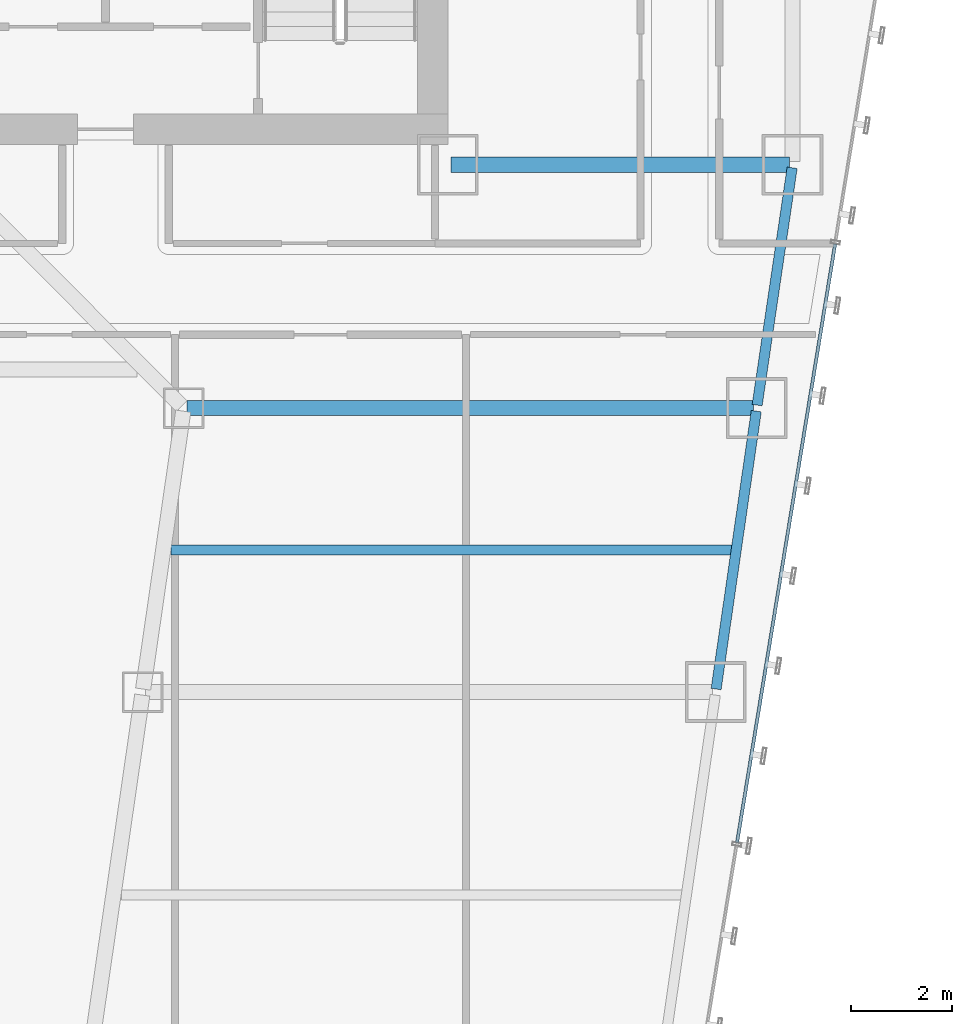
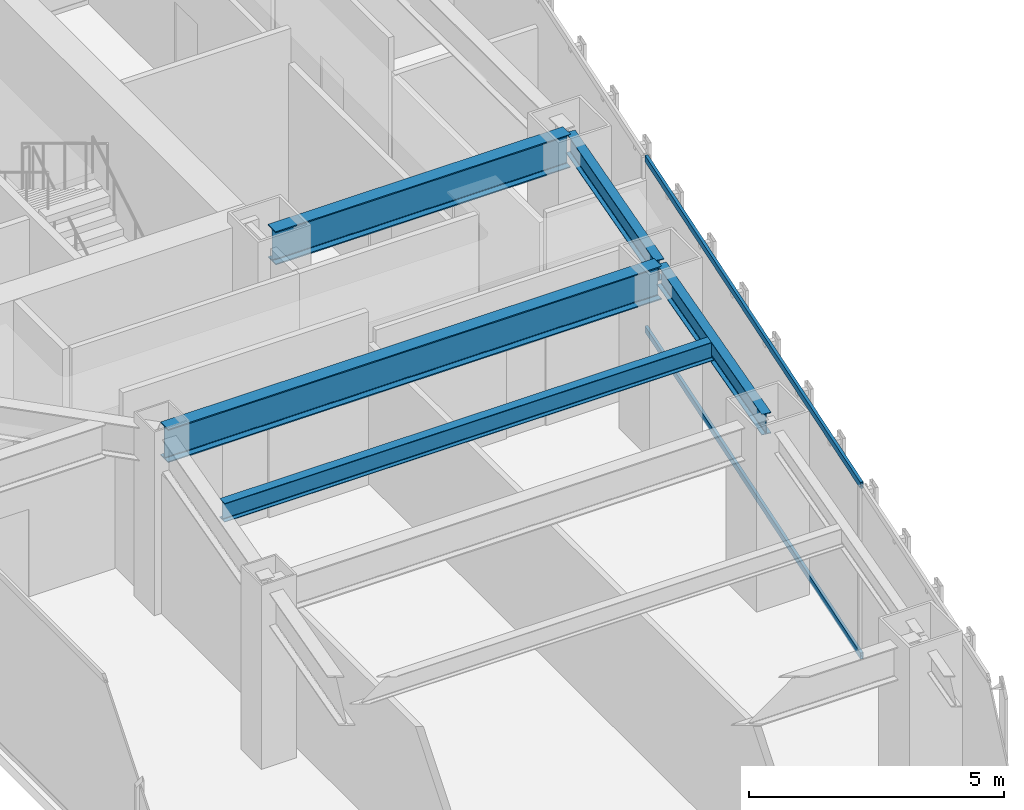
# One storey, part 30 of 49: 5 beams, 2 members, 1 element without a shape of its own.
"""IFC4 building model written with IfcOpenShell, lengths in metres."""

from ifc_helpers import new_model, si_unit, direction, frame, origin, origin_2d, place, context, subcontext, project, spatial, hollow_rectangle, i_section, extrude, material, material_profile, profile_set, type_object, element, aggregate, save


model = new_model("IFC4")

# Units and contexts
model_context = context("Model", 3, precision=1e-05, world=origin(), true_north=direction((0.0, 1.0)))
body_context = subcontext(model_context, "Body", "Model", "MODEL_VIEW")
ifc_project = project(units=[si_unit("LENGTHUNIT", "METRE"), si_unit("AREAUNIT", "SQUARE_METRE"), si_unit("VOLUMEUNIT", "CUBIC_METRE"), si_unit("PLANEANGLEUNIT", "RADIAN"), si_unit("MASSUNIT", "GRAM", prefix="KILO")], contexts=[model_context])

# Site, building, storey
site_placement = place(None, origin())
site = spatial("IfcSite", under=ifc_project, at=site_placement, CompositionType="ELEMENT")
building_placement = place(site_placement, origin())
building = spatial("IfcBuilding", under=site, at=building_placement, Name="Saevonmaru Cultural Tower", CompositionType="ELEMENT")
storey_placement = place(building_placement, frame((0.0, 0.0, 73.60009765625)))
storey = spatial("IfcBuildingStorey", under=building, at=storey_placement, Name="L15", CompositionType="ELEMENT", Elevation=73.60009765625)

# Beams
ifc_material_1 = material(Name="Steel SM420", Category="steel")
ifc_material_profile_1 = material_profile(ifc_material_1, i_section(OverallWidth=0.300048828125, OverallDepth=0.800048828125, WebThickness=0.013916015625, FlangeThickness=0.02587890625, FilletRadius=0.028076171875, at=origin_2d()), Name="H-800x300x14x26")
ifc_profile_set_1 = profile_set([ifc_material_profile_1], Name="Steel SM420")
beam_type_1 = type_object("IfcBeamType", Name="BM-G-H800", PredefinedType="BEAM", material=ifc_profile_set_1)
beam_1_placement = place(storey_placement, frame((46.4599609375, 42.39990234375, 3.75), z_axis=(1.0, 0.0, 0.0), x_axis=(0.0, 1.0, 0.0)))
element("IfcBeam", 1, at=beam_1_placement, inside=storey, type_object=beam_type_1, Name="L15 Core South Girder 5", PredefinedType="BEAM", context=body_context, shape_type="SweptSolid", body=[
    extrude(i_section(OverallWidth=0.300048828125, OverallDepth=0.800048828125, WebThickness=0.013916015625, FlangeThickness=0.02587890625, FilletRadius=0.028076171875, at=origin_2d()), origin(), (0.0, 0.0, 1.0), 6.679931640625),
])
beam_2_placement = place(storey_placement, frame((41.251953125, 37.60009765625, 3.75), z_axis=(1.0, 0.0, 0.0), x_axis=(0.0, 1.0, 0.0)))
element("IfcBeam", 2, at=beam_2_placement, inside=storey, type_object=beam_type_1, Name="L15 East Wing Transverse Girder 6", PredefinedType="BEAM", context=body_context, shape_type="SweptSolid", body=[
    extrude(i_section(OverallWidth=0.300048828125, OverallDepth=0.800048828125, WebThickness=0.013916015625, FlangeThickness=0.02587890625, FilletRadius=0.028076171875, at=origin_2d()), origin(), (0.0, 0.0, 1.0), 11.179931640625),
])
ifc_material_2 = material(Name="Steel SM355", Category="steel")
ifc_material_profile_2 = material_profile(ifc_material_2, i_section(OverallWidth=0.199951171875, OverallDepth=0.449951171875, WebThickness=0.009033203125, FlangeThickness=0.013916015625, FilletRadius=0.01806640625, at=origin_2d()), Name="H-450x200x9x14")
ifc_profile_set_2 = profile_set([ifc_material_profile_2], Name="Steel SM355")
beam_type_2 = type_object("IfcBeamType", Name="BM-J-H450", PredefinedType="JOIST", material=ifc_profile_set_2)
beam_3_placement = place(storey_placement, frame((40.945556640625, 34.800048828125, 3.9248046875), z_axis=(1.0, 0.0, 0.0), x_axis=(0.0, 1.0, 0.0)))
element("IfcBeam", 3, at=beam_3_placement, inside=storey, type_object=beam_type_2, Name="L15 East Wing Floor Joist 5", PredefinedType="JOIST", context=body_context, shape_type="SweptSolid", body=[
    extrude(i_section(OverallWidth=0.199951171875, OverallDepth=0.449951171875, WebThickness=0.009033203125, FlangeThickness=0.013916015625, FilletRadius=0.01806640625, at=origin_2d()), origin(), (0.0, 0.0, 1.0), 11.08203125),
])
ifc_material_profile_3 = material_profile(ifc_material_2, i_section(OverallWidth=0.199951171875, OverallDepth=0.5, WebThickness=0.010009765625, FlangeThickness=0.01611328125, FilletRadius=0.02001953125, at=origin_2d()), Name="H-500x200x10x16")
ifc_profile_set_3 = profile_set([ifc_material_profile_3], Name="Steel SM355")
beam_type_3 = type_object("IfcBeamType", Name="BM-SP-H500", PredefinedType="SPANDREL", material=ifc_profile_set_3)
beam_4_placement = place(storey_placement, frame((51.691650390625, 32.059326171875, 3.89990234375), z_axis=(0.142964121327, 0.989727871697, 0.0), x_axis=(-0.989727871697, 0.142964121327, 0.0)))
element("IfcBeam", 4, at=beam_4_placement, inside=storey, type_object=beam_type_3, Name="L15 East Splayed Spandrel 5", PredefinedType="SPANDREL", context=body_context, shape_type="SweptSolid", body=[
    extrude(i_section(OverallWidth=0.199951171875, OverallDepth=0.5, WebThickness=0.010009765625, FlangeThickness=0.01611328125, FilletRadius=0.02001953125, at=origin_2d()), origin(), (0.0, 0.0, 1.0), 5.5380859375),
])
beam_5_placement = place(storey_placement, frame((52.500732421875, 37.659423828125, 3.89990234375), z_axis=(0.145912860028, 0.989297446312, 0.0), x_axis=(-0.989297446312, 0.145912860028, 0.0)))
element("IfcBeam", 5, at=beam_5_placement, inside=storey, type_object=beam_type_3, Name="L15 East Splayed Spandrel 6", PredefinedType="SPANDREL", context=body_context, shape_type="SweptSolid", body=[
    extrude(i_section(OverallWidth=0.199951171875, OverallDepth=0.5, WebThickness=0.010009765625, FlangeThickness=0.01611328125, FilletRadius=0.02001953125, at=origin_2d()), origin(), (0.0, 0.0, 1.0), 4.731689453125),
])

# Curtain wall, members
ifc_material_3 = material(Name="Satin Bronze Anodised Aluminium", Category="aluminium")
curtain_wall_type = type_object("IfcCurtainWallType", Name="CW-TYP-A", PredefinedType="NOTDEFINED", material=ifc_material_3)
curtain_wall_placement = place(storey_placement, origin())
curtain_wall = element("IfcCurtainWall", 6, at=curtain_wall_placement, inside=storey, type_object=curtain_wall_type, Name="L15 Unitised Curtain Wall E8", PredefinedType="NOTDEFINED")
ifc_material_profile_4 = material_profile(ifc_material_3, hollow_rectangle(XDim=0.06494140625, YDim=0.14990234375, WallThickness=0.00390625, at=origin_2d()), Name="ALU-TRAN-150x65x4")
ifc_profile_set_4 = profile_set([ifc_material_profile_4], Name="Satin Bronze Anodised Aluminium")
member_type = type_object("IfcMemberType", Name="TR-CW-150x65", PredefinedType="USERDEFINED", material=ifc_profile_set_4)
member_1_placement = place(storey_placement, frame((52.105224609375, 29.031982421875, 0.032470703125), z_axis=(0.161701400727, 0.986839732177, 0.0), x_axis=(-0.986839732177, 0.161701400727, 0.0)))
member_1 = element("IfcMember", 7, at=member_1_placement, type_object=member_type, Name="CW-TW-L15-E8 transom 3.1", ObjectType="TRANSOM", PredefinedType="USERDEFINED", context=body_context, shape_type="SweptSolid", body=[
    extrude(hollow_rectangle(XDim=0.06494140625, YDim=0.14990234375, WallThickness=0.00390625, at=origin_2d()), origin(), (0.0, 0.0, 1.0), 11.9638671875),
])
member_2_placement = place(storey_placement, frame((52.105224609375, 29.031982421875, 4.117431640625), z_axis=(0.161701400727, 0.986839732177, 0.0), x_axis=(-0.986839732177, 0.161701400727, 0.0)))
member_2 = element("IfcMember", 8, at=member_2_placement, type_object=member_type, Name="CW-TW-L15-E8 transom 3.2", ObjectType="TRANSOM", PredefinedType="USERDEFINED", context=body_context, shape_type="SweptSolid", body=[
    extrude(hollow_rectangle(XDim=0.06494140625, YDim=0.14990234375, WallThickness=0.00390625, at=origin_2d()), origin(), (0.0, 0.0, 1.0), 11.9638671875),
])
aggregate(curtain_wall, [member_1, member_2])

save(model, "model.ifc")
